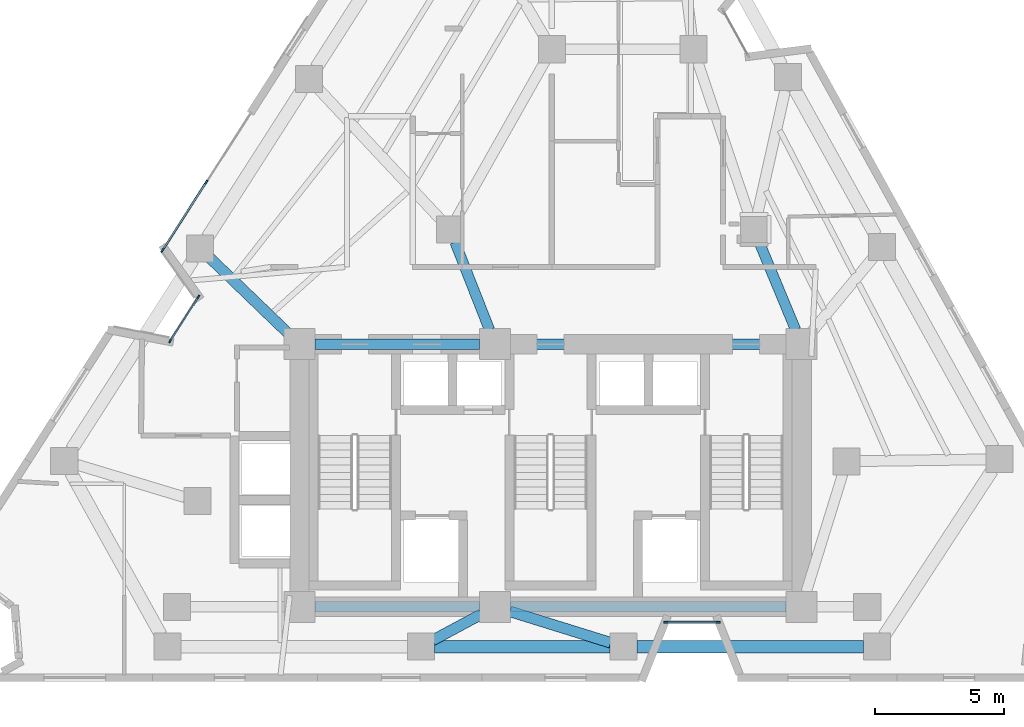
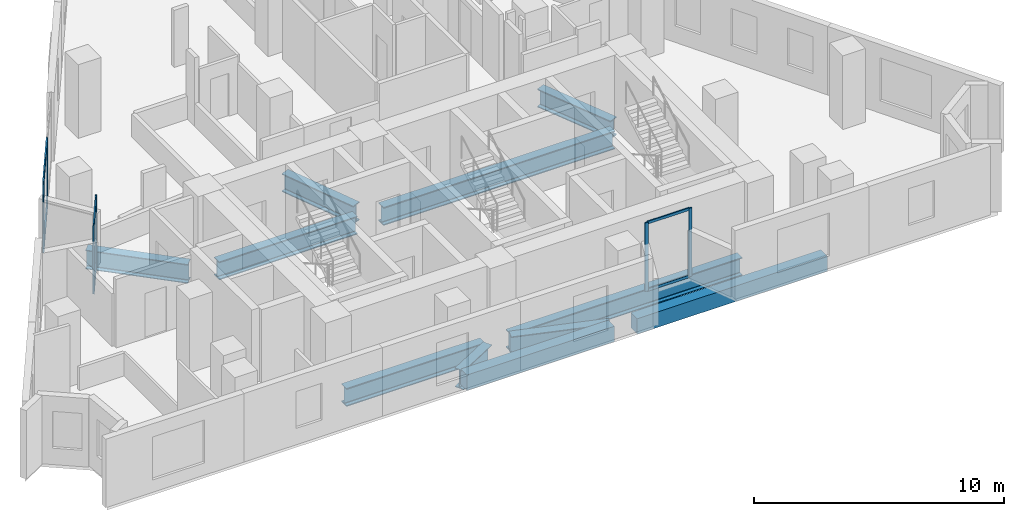
# One storey, part 2 of 10: 12 members, 11 beams, 3 elements without a shape of their own.
"""IFC4 building model written with IfcOpenShell, lengths in metres."""

from ifc_helpers import new_model, si_unit, direction, frame, origin, origin_2d, place, context, subcontext, project, spatial, rectangle, i_section, extrude, material, layer, layer_set, material_profile, profile_set, type_object, element, aggregate, save


model = new_model("IFC4")

# Units and contexts
model_context = context("Model", 3, precision=1e-05, world=origin(), true_north=direction((0.0, 1.0)))
body_context = subcontext(model_context, "Body", "Model", "MODEL_VIEW")
ifc_project = project(units=[si_unit("LENGTHUNIT", "METRE"), si_unit("AREAUNIT", "SQUARE_METRE"), si_unit("VOLUMEUNIT", "CUBIC_METRE"), si_unit("PLANEANGLEUNIT", "RADIAN"), si_unit("MASSUNIT", "GRAM", prefix="KILO")], contexts=[model_context])

# Site, building, storey
site_placement = place(None, origin())
site = spatial("IfcSite", under=ifc_project, at=site_placement, CompositionType="ELEMENT")
building_placement = place(site_placement, origin())
building = spatial("IfcBuilding", under=site, at=building_placement, Name="Almagre Mirador Tower", CompositionType="ELEMENT")
storey_placement = place(building_placement, frame((0.0, 0.0, 171.60009765625)))
storey = spatial("IfcBuildingStorey", under=building, at=storey_placement, Name="L44", CompositionType="ELEMENT", Elevation=171.60009765625)

# Beams
ifc_material_1 = material(Name="Precast concrete C50/60", Category="concrete")
ifc_material_profile_1 = material_profile(ifc_material_1, rectangle(XDim=0.5, YDim=0.75, at=origin_2d()), Name="RC500X750")
ifc_profile_set_1 = profile_set([ifc_material_profile_1], Name="Precast concrete C50/60")
beam_type_1 = type_object("IfcBeamType", Name="BM-SPN-RC500X750", PredefinedType="SPANDREL", material=ifc_profile_set_1)
beam_1_placement = place(storey_placement, frame((32.7890625, 3.0, -0.625), z_axis=(1.0, 0.0, 0.0), x_axis=(0.0, 1.0, 0.0)))
element("IfcBeam", 1, at=beam_1_placement, inside=storey, type_object=beam_type_1, Name="L44 perimeter spandrel beam PC02-PC03", PredefinedType="SPANDREL", context=body_context, shape_type="SweptSolid", body=[
    extrude(rectangle(XDim=0.5, YDim=0.75, at=origin_2d()), origin(), (0.0, 0.0, 1.0), 6.822021484375),
])
beam_2_placement = place(storey_placement, frame((40.660888671875, 3.0, -0.625), z_axis=(1.0, 0.0, 0.0), x_axis=(0.0, 1.0, 0.0)))
element("IfcBeam", 2, at=beam_2_placement, inside=storey, type_object=beam_type_1, Name="L44 perimeter spandrel beam PC03-PC04", PredefinedType="SPANDREL", context=body_context, shape_type="SweptSolid", body=[
    extrude(rectangle(XDim=0.5, YDim=0.75, at=origin_2d()), origin(), (0.0, 0.0, 1.0), 8.7900390625),
])
ifc_material_2 = material(Name="Steel ASTM A992 Grade 50", Category="steel")
ifc_material_profile_2 = material_profile(ifc_material_2, i_section(OverallWidth=0.404052734375, OverallDepth=0.884033203125, WebThickness=0.0244140625, FlangeThickness=0.0439453125, FilletRadius=0.02490234375, at=origin_2d()), Name="W33X291")
ifc_profile_set_2 = profile_set([ifc_material_profile_2], Name="Steel ASTM A992 Grade 50")
beam_type_2 = type_object("IfcBeamType", Name="BM-STL-W33X291", PredefinedType="BEAM", material=ifc_profile_set_2)
beam_3_placement = place(storey_placement, frame((28.14990234375, 4.550048828125, -0.692138671875), z_axis=(1.0, 0.0, 0.0), x_axis=(0.0, 1.0, 0.0)))
element("IfcBeam", 3, at=beam_3_placement, inside=storey, type_object=beam_type_2, Name="L44 core tie girder CC1-CC2", PredefinedType="BEAM", context=body_context, shape_type="SweptSolid", body=[
    extrude(i_section(OverallWidth=0.404052734375, OverallDepth=0.884033203125, WebThickness=0.0244140625, FlangeThickness=0.0439453125, FilletRadius=0.02490234375, at=origin_2d()), origin(), (0.0, 0.0, 1.0), 6.400146484375),
])
beam_4_placement = place(storey_placement, frame((35.75, 4.550048828125, -0.692138671875), z_axis=(1.0, 0.0, 0.0), x_axis=(0.0, 1.0, 0.0)))
element("IfcBeam", 4, at=beam_4_placement, inside=storey, type_object=beam_type_2, Name="L44 core tie girder CC2-CC3", PredefinedType="BEAM", context=body_context, shape_type="SweptSolid", body=[
    extrude(i_section(OverallWidth=0.404052734375, OverallDepth=0.884033203125, WebThickness=0.0244140625, FlangeThickness=0.0439453125, FilletRadius=0.02490234375, at=origin_2d()), origin(), (0.0, 0.0, 1.0), 10.699951171875),
])
beam_5_placement = place(storey_placement, frame((28.14990234375, 14.75, -0.692138671875), z_axis=(1.0, 0.0, 0.0), x_axis=(0.0, 1.0, 0.0)))
element("IfcBeam", 5, at=beam_5_placement, inside=storey, type_object=beam_type_2, Name="L44 core tie girder CC4-CC5", PredefinedType="BEAM", context=body_context, shape_type="SweptSolid", body=[
    extrude(i_section(OverallWidth=0.404052734375, OverallDepth=0.884033203125, WebThickness=0.0244140625, FlangeThickness=0.0439453125, FilletRadius=0.02490234375, at=origin_2d()), origin(), (0.0, 0.0, 1.0), 6.400146484375),
])
beam_6_placement = place(storey_placement, frame((35.75, 14.75, -0.692138671875), z_axis=(1.0, 0.0, 0.0), x_axis=(0.0, 1.0, 0.0)))
element("IfcBeam", 6, at=beam_6_placement, inside=storey, type_object=beam_type_2, Name="L44 core tie girder CC5-CC6", PredefinedType="BEAM", context=body_context, shape_type="SweptSolid", body=[
    extrude(i_section(OverallWidth=0.404052734375, OverallDepth=0.884033203125, WebThickness=0.0244140625, FlangeThickness=0.0439453125, FilletRadius=0.02490234375, at=origin_2d()), origin(), (0.0, 0.0, 1.0), 10.699951171875),
])
beam_7_placement = place(storey_placement, frame((45.401611328125, 18.715087890625, -0.692138671875), z_axis=(0.383845645019, -0.923397271384, 0.0), x_axis=(0.923397271384, 0.383845645019, 0.0)))
element("IfcBeam", 7, at=beam_7_placement, inside=storey, type_object=beam_type_2, Name="L44 core tie girder MC5-CC6", PredefinedType="BEAM", context=body_context, shape_type="SweptSolid", body=[
    extrude(i_section(OverallWidth=0.404052734375, OverallDepth=0.884033203125, WebThickness=0.0244140625, FlangeThickness=0.0439453125, FilletRadius=0.02490234375, at=origin_2d()), origin(), (0.0, 0.0, 1.0), 3.694091796875),
])
beam_8_placement = place(storey_placement, frame((33.592041015625, 18.71142578125, -0.692138671875), z_axis=(0.365997304164, -0.930615910752, 0.0), x_axis=(0.930615910752, 0.365997304164, 0.0)))
element("IfcBeam", 8, at=beam_8_placement, inside=storey, type_object=beam_type_2, Name="L44 core tie girder MC8-CC5", PredefinedType="BEAM", context=body_context, shape_type="SweptSolid", body=[
    extrude(i_section(OverallWidth=0.404052734375, OverallDepth=0.884033203125, WebThickness=0.0244140625, FlangeThickness=0.0439453125, FilletRadius=0.02490234375, at=origin_2d()), origin(), (0.0, 0.0, 1.0), 3.65673828125),
])
ifc_material_3 = material(Name="Steel ASTM A992 Grade 50", Category="steel")
ifc_material_profile_3 = material_profile(ifc_material_3, i_section(OverallWidth=0.41796875, OverallDepth=0.927001953125, WebThickness=0.019287109375, FlangeThickness=0.031982421875, FilletRadius=0.028076171875, at=origin_2d()), Name="W36X231")
ifc_profile_set_3 = profile_set([ifc_material_profile_3], Name="Steel ASTM A992 Grade 50")
beam_type_3 = type_object("IfcBeamType", Name="BM-STL-W36X231", PredefinedType="BEAM", material=ifc_profile_set_3)
beam_9_placement = place(storey_placement, frame((32.7265625, 3.248291015625, -0.713623046875), z_axis=(0.880944482784, 0.473219630038, 0.0), x_axis=(-0.473219630038, 0.880944482784, 0.0)))
element("IfcBeam", 9, at=beam_9_placement, inside=storey, type_object=beam_type_3, Name="L44 radial floor girder PC02-CC2", PredefinedType="BEAM", context=body_context, shape_type="SweptSolid", body=[
    extrude(i_section(OverallWidth=0.41796875, OverallDepth=0.927001953125, WebThickness=0.019287109375, FlangeThickness=0.031982421875, FilletRadius=0.028076171875, at=origin_2d()), origin(), (0.0, 0.0, 1.0), 2.15087890625),
])
beam_10_placement = place(storey_placement, frame((39.634765625, 3.15576171875, -0.713623046875), z_axis=(-0.954923245633, 0.296852816982, 0.0), x_axis=(-0.296852816982, -0.954923245633, 0.0)))
element("IfcBeam", 10, at=beam_10_placement, inside=storey, type_object=beam_type_3, Name="L44 radial floor girder PC03-CC2", PredefinedType="BEAM", context=body_context, shape_type="SweptSolid", body=[
    extrude(i_section(OverallWidth=0.41796875, OverallDepth=0.927001953125, WebThickness=0.019287109375, FlangeThickness=0.031982421875, FilletRadius=0.028076171875, at=origin_2d()), origin(), (0.0, 0.0, 1.0), 4.096435546875),
])
beam_11_placement = place(storey_placement, frame((24.076416015625, 18.093017578125, -0.713623046875), z_axis=(0.720511778148, -0.693442699544, 0.0), x_axis=(0.693442699544, 0.720511778148, 0.0)))
element("IfcBeam", 11, at=beam_11_placement, inside=storey, type_object=beam_type_3, Name="L44 radial floor girder PC11-CC4", PredefinedType="BEAM", context=body_context, shape_type="SweptSolid", body=[
    extrude(i_section(OverallWidth=0.41796875, OverallDepth=0.927001953125, WebThickness=0.019287109375, FlangeThickness=0.031982421875, FilletRadius=0.028076171875, at=origin_2d()), origin(), (0.0, 0.0, 1.0), 4.220947265625),
])

# Curtain wall, members
ifc_material_4 = material(Name="Black anodized aluminium", Category="aluminium")
ifc_layer_1 = layer(ifc_material_4, 0.169921875)
ifc_layer_set_1 = layer_set([ifc_layer_1], Name="Black anodized aluminium")
curtain_wall_type_1 = type_object("IfcCurtainWallType", Name="CW-CRS-SYS", PredefinedType="NOTDEFINED", material=ifc_layer_set_1)
curtain_wall_1_placement = place(storey_placement, origin())
curtain_wall_1 = element("IfcCurtainWall", 12, at=curtain_wall_1_placement, inside=storey, type_object=curtain_wall_type_1, Name="L44 vertical crease curtain wall 01", PredefinedType="NOTDEFINED")
ifc_material_5 = material(Name="Black anodized aluminium", Category="aluminium")
ifc_material_profile_4 = material_profile(ifc_material_5, rectangle(XDim=0.06005859375, YDim=0.14990234375, at=origin_2d()), Name="CWM60X150")
ifc_profile_set_4 = profile_set([ifc_material_profile_4], Name="Black anodized aluminium")
member_type_1 = type_object("IfcMemberType", Name="MBR-CWM60X150", PredefinedType="MULLION", material=ifc_profile_set_4)
member_1_placement = place(storey_placement, frame((22.529296875, 14.871337890625, 0.0), z_axis=(0.0, 0.0, 1.0), x_axis=(-0.841923718176, 0.539596564827, 0.0)))
member_1 = element("IfcMember", 13, at=member_1_placement, type_object=member_type_1, Name="CW-4 mullion 1", PredefinedType="MULLION", context=body_context, shape_type="SweptSolid", body=[
    extrude(rectangle(XDim=0.06005859375, YDim=0.14990234375, at=origin_2d()), origin(), (0.0, 0.0, 1.0), 3.349853515625),
])
member_2_placement = place(storey_placement, frame((23.624755859375, 16.580810546875, 0.0), z_axis=(0.0, 0.0, 1.0), x_axis=(-0.841923718176, 0.539596564827, 0.0)))
member_2 = element("IfcMember", 14, at=member_2_placement, type_object=member_type_1, Name="CW-4 mullion 2", PredefinedType="MULLION", context=body_context, shape_type="SweptSolid", body=[
    extrude(rectangle(XDim=0.06005859375, YDim=0.14990234375, at=origin_2d()), origin(), (0.0, 0.0, 1.0), 3.349853515625),
])

curtain_wall_2_placement = place(storey_placement, origin())
curtain_wall_2 = element("IfcCurtainWall", 15, at=curtain_wall_2_placement, inside=storey, type_object=curtain_wall_type_1, Name="L44 vertical crease curtain wall 04", PredefinedType="NOTDEFINED")
member_3_placement = place(storey_placement, frame((43.806884765625, 3.949951171875, 0.0), z_axis=(0.0, 0.0, 1.0), x_axis=(0.0, -1.0, 0.0)))
member_3 = element("IfcMember", 16, at=member_3_placement, type_object=member_type_1, Name="CW-4 mullion 1", PredefinedType="MULLION", context=body_context, shape_type="SweptSolid", body=[
    extrude(rectangle(XDim=0.06005859375, YDim=0.14990234375, at=origin_2d()), origin(), (0.0, 0.0, 1.0), 3.349853515625),
])
member_4_placement = place(storey_placement, frame((41.777099609375, 3.949951171875, 0.0), z_axis=(0.0, 0.0, 1.0), x_axis=(0.0, -1.0, 0.0)))
member_4 = element("IfcMember", 17, at=member_4_placement, type_object=member_type_1, Name="CW-4 mullion 2", PredefinedType="MULLION", context=body_context, shape_type="SweptSolid", body=[
    extrude(rectangle(XDim=0.06005859375, YDim=0.14990234375, at=origin_2d()), origin(), (0.0, 0.0, 1.0), 3.349853515625),
])

ifc_material_6 = material(Name="Black anodized aluminium", Category="aluminium")
ifc_layer_2 = layer(ifc_material_6, 0.199951171875)
ifc_layer_set_2 = layer_set([ifc_layer_2], Name="Black anodized aluminium")
curtain_wall_type_2 = type_object("IfcCurtainWallType", Name="CW-RES-H-SYS", PredefinedType="NOTDEFINED", material=ifc_layer_set_2)
curtain_wall_3_placement = place(storey_placement, origin())
curtain_wall_3 = element("IfcCurtainWall", 18, at=curtain_wall_3_placement, inside=storey, type_object=curtain_wall_type_2, Name="L44 curtain wall run 02", PredefinedType="NOTDEFINED")
ifc_material_7 = material(Name="Black anodized aluminium", Category="aluminium")
ifc_material_profile_5 = material_profile(ifc_material_7, rectangle(XDim=0.06494140625, YDim=0.179931640625, at=origin_2d()), Name="CWM65X180")
ifc_profile_set_5 = profile_set([ifc_material_profile_5], Name="Black anodized aluminium")
member_type_2 = type_object("IfcMemberType", Name="MBR-CWM65X180", PredefinedType="MULLION", material=ifc_profile_set_5)
member_5_placement = place(storey_placement, frame((22.234130859375, 18.39453125, 0.0), z_axis=(0.0, 0.0, 1.0), x_axis=(-0.841988665038, 0.539495215871, 0.0)))
member_5 = element("IfcMember", 19, at=member_5_placement, type_object=member_type_2, Name="CW-3 mullion 1", PredefinedType="MULLION", context=body_context, shape_type="SweptSolid", body=[
    extrude(rectangle(XDim=0.06494140625, YDim=0.179931640625, at=origin_2d()), origin(), (0.0, 0.0, 1.0), 3.349853515625),
])
member_6_placement = place(storey_placement, frame((23.92919921875, 21.0400390625, 0.0), z_axis=(0.0, 0.0, 1.0), x_axis=(-0.841988665038, 0.539495215871, 0.0)))
member_6 = element("IfcMember", 20, at=member_6_placement, type_object=member_type_2, Name="CW-3 mullion 2", PredefinedType="MULLION", context=body_context, shape_type="SweptSolid", body=[
    extrude(rectangle(XDim=0.06494140625, YDim=0.179931640625, at=origin_2d()), origin(), (0.0, 0.0, 1.0), 3.349853515625),
])

# Member
ifc_material_8 = material(Name="Black anodized aluminium", Category="aluminium")
ifc_material_profile_6 = material_profile(ifc_material_8, rectangle(XDim=0.06005859375, YDim=0.1298828125, at=origin_2d()), Name="CWT60X130")
ifc_profile_set_6 = profile_set([ifc_material_profile_6], Name="Black anodized aluminium")
member_type_3 = type_object("IfcMemberType", Name="MBR-CWT60X130", PredefinedType="USERDEFINED", material=ifc_profile_set_6)
member_7_placement = place(storey_placement, frame((22.54541015625, 14.896484375, 0.02978515625), z_axis=(0.539598560897, 0.841922438873, 0.0), x_axis=(-0.841922438873, 0.539598560897, 0.0)))
member_7 = element("IfcMember", 21, at=member_7_placement, type_object=member_type_3, Name="CW-4 transom 1.1", ObjectType="TRANSOM", PredefinedType="USERDEFINED", context=body_context, shape_type="SweptSolid", body=[
    extrude(rectangle(XDim=0.06005859375, YDim=0.1298828125, at=origin_2d()), origin(), (0.0, 0.0, 1.0), 1.970458984375),
])

member_8_placement = place(storey_placement, frame((22.54541015625, 14.896484375, 3.31982421875), z_axis=(0.539598560897, 0.841922438873, 0.0), x_axis=(-0.841922438873, 0.539598560897, 0.0)))
member_8 = element("IfcMember", 22, at=member_8_placement, type_object=member_type_3, Name="CW-4 transom 1.2", ObjectType="TRANSOM", PredefinedType="USERDEFINED", context=body_context, shape_type="SweptSolid", body=[
    extrude(rectangle(XDim=0.06005859375, YDim=0.1298828125, at=origin_2d()), origin(), (0.0, 0.0, 1.0), 1.970458984375),
])

aggregate(curtain_wall_1, [member_1, member_2, member_7, member_8])

member_9_placement = place(storey_placement, frame((43.777099609375, 3.949951171875, 0.02978515625), z_axis=(-1.0, 0.0, 0.0), x_axis=(0.0, -1.0, 0.0)))
member_9 = element("IfcMember", 23, at=member_9_placement, type_object=member_type_3, Name="CW-4 transom 1.1", ObjectType="TRANSOM", PredefinedType="USERDEFINED", context=body_context, shape_type="SweptSolid", body=[
    extrude(rectangle(XDim=0.06005859375, YDim=0.1298828125, at=origin_2d()), origin(), (0.0, 0.0, 1.0), 1.97021484375),
])

member_10_placement = place(storey_placement, frame((43.777099609375, 3.949951171875, 3.31982421875), z_axis=(-1.0, 0.0, 0.0), x_axis=(0.0, -1.0, 0.0)))
member_10 = element("IfcMember", 24, at=member_10_placement, type_object=member_type_3, Name="CW-4 transom 1.2", ObjectType="TRANSOM", PredefinedType="USERDEFINED", context=body_context, shape_type="SweptSolid", body=[
    extrude(rectangle(XDim=0.06005859375, YDim=0.1298828125, at=origin_2d()), origin(), (0.0, 0.0, 1.0), 1.97021484375),
])

aggregate(curtain_wall_2, [member_3, member_4, member_9, member_10])

ifc_material_9 = material(Name="Black anodized aluminium", Category="aluminium")
ifc_material_profile_7 = material_profile(ifc_material_9, rectangle(XDim=0.06494140625, YDim=0.14990234375, at=origin_2d()), Name="CWT65X150")
ifc_profile_set_7 = profile_set([ifc_material_profile_7], Name="Black anodized aluminium")
member_type_4 = type_object("IfcMemberType", Name="MBR-CWT65X150", PredefinedType="USERDEFINED", material=ifc_profile_set_7)
member_11_placement = place(storey_placement, frame((22.25146484375, 18.421875, 0.032470703125), z_axis=(0.53952191683, 0.841971556088, 0.0), x_axis=(-0.841971556088, 0.53952191683, 0.0)))
member_11 = element("IfcMember", 25, at=member_11_placement, type_object=member_type_4, Name="CW-3 transom 1.1", ObjectType="TRANSOM", PredefinedType="USERDEFINED", context=body_context, shape_type="SweptSolid", body=[
    extrude(rectangle(XDim=0.06494140625, YDim=0.14990234375, at=origin_2d()), origin(), (0.0, 0.0, 1.0), 3.0771484375),
])

member_12_placement = place(storey_placement, frame((22.25146484375, 18.421875, 3.3173828125), z_axis=(0.53952191683, 0.841971556088, 0.0), x_axis=(-0.841971556088, 0.53952191683, 0.0)))
member_12 = element("IfcMember", 26, at=member_12_placement, type_object=member_type_4, Name="CW-3 transom 1.2", ObjectType="TRANSOM", PredefinedType="USERDEFINED", context=body_context, shape_type="SweptSolid", body=[
    extrude(rectangle(XDim=0.06494140625, YDim=0.14990234375, at=origin_2d()), origin(), (0.0, 0.0, 1.0), 3.0771484375),
])

aggregate(curtain_wall_3, [member_5, member_6, member_11, member_12])

save(model, "model.ifc")
